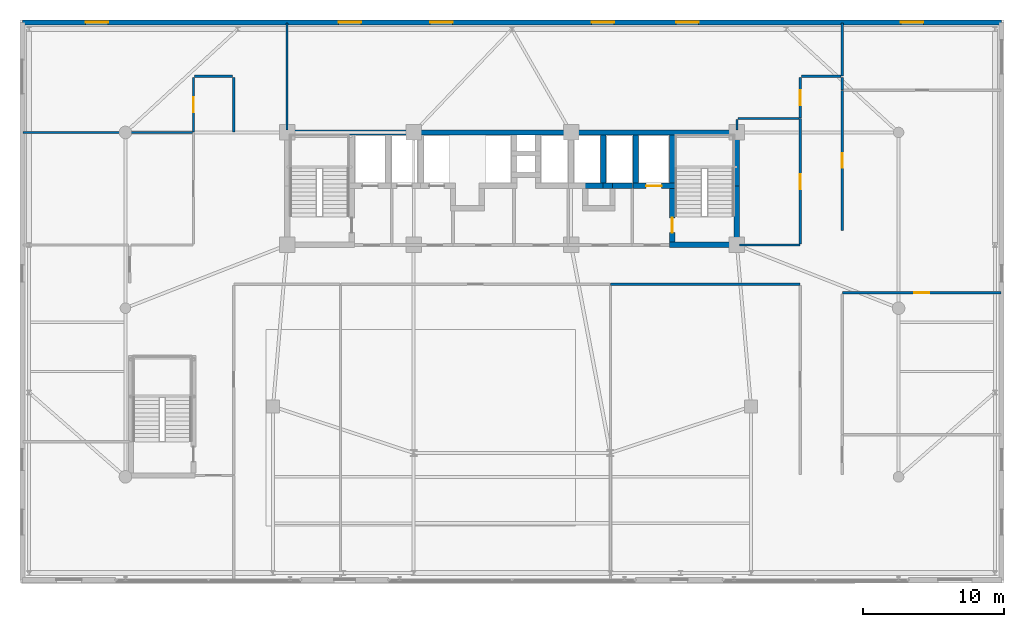
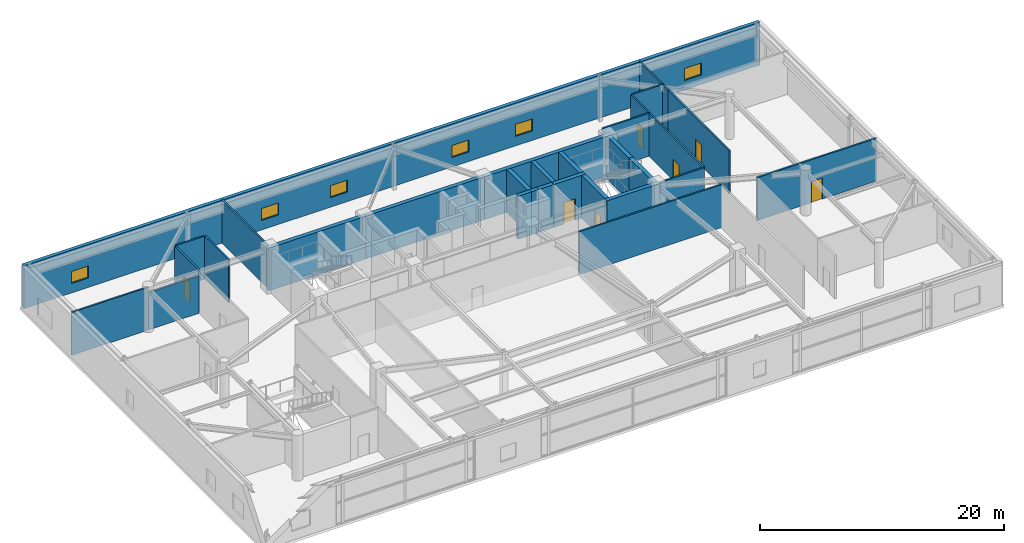
# One storey, part 22 of 26: 32 walls, 7 doors, 6 windows, 13 openings.
"""IFC4 building model written with IfcOpenShell, lengths in metres."""

from ifc_helpers import new_model, si_unit, direction, frame, frame_2d, origin, place, context, subcontext, project, spatial, rectangle, extrude, source, transform, mapped, material, layer, layer_set, type_object, element, fill, save


model = new_model("IFC4")

# Units and contexts
model_context = context("Model", 3, precision=1e-05, world=origin(), true_north=direction((0.0, 1.0)))
body_context = subcontext(model_context, "Body", "Model", "MODEL_VIEW")
ifc_project = project(units=[si_unit("LENGTHUNIT", "METRE"), si_unit("AREAUNIT", "SQUARE_METRE"), si_unit("VOLUMEUNIT", "CUBIC_METRE"), si_unit("PLANEANGLEUNIT", "RADIAN"), si_unit("MASSUNIT", "GRAM", prefix="KILO")], contexts=[model_context])

# Site, building, storey
site_placement = place(None, origin())
site = spatial("IfcSite", under=ifc_project, at=site_placement, CompositionType="ELEMENT")
building_placement = place(site_placement, origin())
building = spatial("IfcBuilding", under=site, at=building_placement, Name="Taldren Reach Tower", CompositionType="ELEMENT")
storey_placement = place(building_placement, frame((0.0, 0.0, 8.39990234375)))
storey = spatial("IfcBuildingStorey", under=building, at=storey_placement, Name="L02", CompositionType="ELEMENT", Elevation=8.39990234375)

# Wall, openings, windows
ifc_material_1 = material(Name="Pale Champagne Anodised Aluminium Cladding", Category="aluminium")
ifc_layer_1 = layer(ifc_material_1, 0.04, Name="Pale Champagne Anodised Aluminium Cladding", Category="aluminium")
ifc_material_2 = material(Name="Mineral Wool Thermal Insulation", Category="insulation")
ifc_layer_2 = layer(ifc_material_2, 0.08, Name="Mineral Wool Thermal Insulation", Category="insulation")
ifc_material_3 = material(Name="Concrete S50 (50 MPa)", Category="concrete")
ifc_layer_3 = layer(ifc_material_3, 0.22, Name="Concrete S50 (50 MPa)", Category="concrete")
ifc_layer_set_1 = layer_set([ifc_layer_1, ifc_layer_2, ifc_layer_3], Name="Pale Champagne Aluminium Cladding and Precast Concrete 50 MPa (S50)")
wall_type_1 = type_object("IfcWallType", Name="EW-POD-340", PredefinedType="SOLIDWALL", material=ifc_layer_set_1)
shared_shape_1 = source(origin(), body_context, "Body", "SweptSolid", [
    extrude(rectangle(XDim=69.66015625, YDim=0.340087890625, at=frame_2d((34.830078125, 0.0))), origin(), (0.0, 0.0, 1.0), 4.2900390625),
])
wall_1_placement = place(storey_placement, frame((0.169921875, 39.830078125, 0.0), z_axis=(0.0, 0.0, 1.0), x_axis=(1.0, 0.0, 0.0)))
wall_1 = element("IfcWall", 1, at=wall_1_placement, inside=storey, type_object=wall_type_1, Name="Podium facade wall L02-N", PredefinedType="SOLIDWALL", context=body_context, shape_type="MappedRepresentation", body=[
    mapped(shared_shape_1, transform((0.0, 0.0, 0.0), scale=1.0)),
])
shared_shape_2 = source(origin(), body_context, "Body", "SweptSolid", [
    extrude(rectangle(XDim=1.60009765625, YDim=1.199951171875, at=frame_2d((0.800048828125, 0.60009765625))), frame((0.0, 0.18017578125, 0.0), z_axis=(0.0, -1.0, 0.0), x_axis=(1.0, 0.0, 0.0)), (0.0, 0.0, 1.0), 0.360107421875),
])
opening_1_placement = place(wall_1_placement, frame((4.5, 0.0, 0.949951171875)))
opening_1 = element("IfcOpeningElement", 2, at=opening_1_placement, cuts=wall_1, Name="Opening W-1612", PredefinedType="OPENING", context=body_context, shape_type="MappedRepresentation", body=[
    mapped(shared_shape_2, transform((0.0, 0.0, 0.0), scale=1.0)),
])
opening_2_placement = place(wall_1_placement, frame((22.5, 0.0, 0.949951171875)))
opening_2 = element("IfcOpeningElement", 3, at=opening_2_placement, cuts=wall_1, Name="Opening W-1612", PredefinedType="OPENING", context=body_context, shape_type="MappedRepresentation", body=[
    mapped(shared_shape_2, transform((0.0, 0.0, 0.0), scale=1.0)),
])
opening_3_placement = place(wall_1_placement, frame((29.0, 0.0, 0.949951171875)))
opening_3 = element("IfcOpeningElement", 4, at=opening_3_placement, cuts=wall_1, Name="Opening W-1612", PredefinedType="OPENING", context=body_context, shape_type="MappedRepresentation", body=[
    mapped(shared_shape_2, transform((0.0, 0.0, 0.0), scale=1.0)),
])
opening_4_placement = place(wall_1_placement, frame((40.5, 0.0, 0.949951171875)))
opening_4 = element("IfcOpeningElement", 5, at=opening_4_placement, cuts=wall_1, Name="Opening W-1612", PredefinedType="OPENING", context=body_context, shape_type="MappedRepresentation", body=[
    mapped(shared_shape_2, transform((0.0, 0.0, 0.0), scale=1.0)),
])
opening_5_placement = place(wall_1_placement, frame((46.5, 0.0, 0.949951171875)))
opening_5 = element("IfcOpeningElement", 6, at=opening_5_placement, cuts=wall_1, Name="Opening W-1612", PredefinedType="OPENING", context=body_context, shape_type="MappedRepresentation", body=[
    mapped(shared_shape_2, transform((0.0, 0.0, 0.0), scale=1.0)),
])
opening_6_placement = place(wall_1_placement, frame((62.5, 0.0, 0.949951171875)))
opening_6 = element("IfcOpeningElement", 7, at=opening_6_placement, cuts=wall_1, Name="Opening W-1612", PredefinedType="OPENING", context=body_context, shape_type="MappedRepresentation", body=[
    mapped(shared_shape_2, transform((0.0, 0.0, 0.0), scale=1.0)),
])
ifc_material_4 = material(Name="Thermally Broken Aluminium and Low-E IGU", Category="aluminium")
window_type = type_object("IfcWindowType", Name="WN-CLN-1600", PartitioningType="SINGLE_PANEL", PredefinedType="WINDOW", material=ifc_material_4)
shared_shape_3 = source(origin(), body_context, "Body", "SweptSolid", [
    extrude(rectangle(XDim=1.60009765625, YDim=1.199951171875, at=frame_2d((0.800048828125, 0.60009765625))), frame((0.0, 0.030029296875, 0.0), z_axis=(0.0, -1.0, 0.0), x_axis=(1.0, 0.0, 0.0)), (0.0, 0.0, 1.0), 0.06005859375),
])
window_1_placement = place(opening_1_placement, origin())
window_1 = element("IfcWindow", 8, at=window_1_placement, inside=storey, type_object=window_type, Name="Clinical window L02-N1", OverallHeight=1.199951171875, OverallWidth=1.60009765625, PartitioningType="SINGLE_PANEL", PredefinedType="WINDOW", context=body_context, shape_type="MappedRepresentation", body=[
    mapped(shared_shape_3, transform((0.0, 0.0, 0.0), scale=1.0)),
])
fill(opening_1, window_1)
window_2_placement = place(opening_2_placement, origin())
window_2 = element("IfcWindow", 9, at=window_2_placement, inside=storey, type_object=window_type, Name="Clinical window L02-N2", OverallHeight=1.199951171875, OverallWidth=1.60009765625, PartitioningType="SINGLE_PANEL", PredefinedType="WINDOW", context=body_context, shape_type="MappedRepresentation", body=[
    mapped(shared_shape_3, transform((0.0, 0.0, 0.0), scale=1.0)),
])
fill(opening_2, window_2)
window_3_placement = place(opening_3_placement, origin())
window_3 = element("IfcWindow", 10, at=window_3_placement, inside=storey, type_object=window_type, Name="Clinical window L02-N3", OverallHeight=1.199951171875, OverallWidth=1.60009765625, PartitioningType="SINGLE_PANEL", PredefinedType="WINDOW", context=body_context, shape_type="MappedRepresentation", body=[
    mapped(shared_shape_3, transform((0.0, 0.0, 0.0), scale=1.0)),
])
fill(opening_3, window_3)
window_4_placement = place(opening_4_placement, origin())
window_4 = element("IfcWindow", 11, at=window_4_placement, inside=storey, type_object=window_type, Name="Clinical window L02-N4", OverallHeight=1.199951171875, OverallWidth=1.60009765625, PartitioningType="SINGLE_PANEL", PredefinedType="WINDOW", context=body_context, shape_type="MappedRepresentation", body=[
    mapped(shared_shape_3, transform((0.0, 0.0, 0.0), scale=1.0)),
])
fill(opening_4, window_4)
window_5_placement = place(opening_5_placement, origin())
window_5 = element("IfcWindow", 12, at=window_5_placement, inside=storey, type_object=window_type, Name="Clinical window L02-N5", OverallHeight=1.199951171875, OverallWidth=1.60009765625, PartitioningType="SINGLE_PANEL", PredefinedType="WINDOW", context=body_context, shape_type="MappedRepresentation", body=[
    mapped(shared_shape_3, transform((0.0, 0.0, 0.0), scale=1.0)),
])
fill(opening_5, window_5)
window_6_placement = place(opening_6_placement, origin())
window_6 = element("IfcWindow", 13, at=window_6_placement, inside=storey, type_object=window_type, Name="Clinical window L02-N6", OverallHeight=1.199951171875, OverallWidth=1.60009765625, PartitioningType="SINGLE_PANEL", PredefinedType="WINDOW", context=body_context, shape_type="MappedRepresentation", body=[
    mapped(shared_shape_3, transform((0.0, 0.0, 0.0), scale=1.0)),
])
fill(opening_6, window_6)

# Walls
ifc_material_5 = material(Name="Concrete S80 (80 MPa)", Category="concrete")
ifc_layer_4 = layer(ifc_material_5, 0.3798828125)
ifc_layer_set_2 = layer_set([ifc_layer_4], Name="Concrete S80 (80 MPa)")
wall_type_2 = type_object("IfcWallType", Name="IW-CORE-380", PredefinedType="SHEAR", material=ifc_layer_set_2)
shared_shape_4 = source(origin(), body_context, "Body", "SweptSolid", [
    extrude(rectangle(XDim=9.18994140625, YDim=0.3798828125, at=frame_2d((4.594970703125, 0.0))), origin(), (0.0, 0.0, 1.0), 4.2900390625),
])
wall_2_placement = place(storey_placement, frame((18.81005859375, 32.0, 0.0), z_axis=(0.0, 0.0, 1.0), x_axis=(1.0, 0.0, 0.0)))
element("IfcWall", 14, at=wall_2_placement, inside=storey, type_object=wall_type_2, Name="Rear Core Shear Wall W-CORE-L02-NORTH1", PredefinedType="SHEAR", context=body_context, shape_type="MappedRepresentation", body=[
    mapped(shared_shape_4, transform((0.0, 0.0, 0.0), scale=1.0)),
])
shared_shape_5 = source(origin(), body_context, "Body", "SweptSolid", [
    extrude(rectangle(XDim=11.199951171875, YDim=0.3798828125, at=frame_2d((5.60009765625, 0.0))), origin(), (0.0, 0.0, 1.0), 4.2900390625),
])
wall_3_placement = place(storey_placement, frame((28.0, 32.0, 0.0), z_axis=(0.0, 0.0, 1.0), x_axis=(1.0, 0.0, 0.0)))
element("IfcWall", 15, at=wall_3_placement, inside=storey, type_object=wall_type_2, Name="Rear Core Shear Wall W-CORE-L02-NORTH2", PredefinedType="SHEAR", context=body_context, shape_type="MappedRepresentation", body=[
    mapped(shared_shape_5, transform((0.0, 0.0, 0.0), scale=1.0)),
])
shared_shape_6 = source(origin(), body_context, "Body", "SweptSolid", [
    extrude(rectangle(XDim=11.989990234375, YDim=0.3798828125, at=frame_2d((5.9951171875, 0.0))), origin(), (0.0, 0.0, 1.0), 4.2900390625),
])
wall_4_placement = place(storey_placement, frame((39.199951171875, 32.0, 0.0), z_axis=(0.0, 0.0, 1.0), x_axis=(1.0, 0.0, 0.0)))
element("IfcWall", 16, at=wall_4_placement, inside=storey, type_object=wall_type_2, Name="Rear Core Shear Wall W-CORE-L02-NORTH3", PredefinedType="SHEAR", context=body_context, shape_type="MappedRepresentation", body=[
    mapped(shared_shape_6, transform((0.0, 0.0, 0.0), scale=1.0)),
])
shared_shape_7 = source(origin(), body_context, "Body", "SweptSolid", [
    extrude(rectangle(XDim=4.010009765625, YDim=0.3798828125, at=frame_2d((2.0048828125, 0.0))), origin(), (0.0, 0.0, 1.0), 4.2900390625),
])
wall_5_placement = place(storey_placement, frame((51.0, 24.18994140625, 0.0), z_axis=(0.0, 0.0, 1.0), x_axis=(0.0, 1.0, 0.0)))
element("IfcWall", 17, at=wall_5_placement, inside=storey, type_object=wall_type_2, Name="Rear Core Shear Wall W-CORE-L02-EAST1", PredefinedType="SHEAR", context=body_context, shape_type="MappedRepresentation", body=[
    mapped(shared_shape_7, transform((0.0, 0.0, 0.0), scale=1.0)),
])
shared_shape_8 = source(origin(), body_context, "Body", "SweptSolid", [
    extrude(rectangle(XDim=3.610107421875, YDim=0.3798828125, at=frame_2d((1.80517578125, 0.0))), origin(), (0.0, 0.0, 1.0), 4.2900390625),
])
wall_6_placement = place(storey_placement, frame((51.0, 28.199951171875, 0.0), z_axis=(0.0, 0.0, 1.0), x_axis=(0.0, 1.0, 0.0)))
element("IfcWall", 18, at=wall_6_placement, inside=storey, type_object=wall_type_2, Name="Rear Core Shear Wall W-CORE-L02-EAST2", PredefinedType="SHEAR", context=body_context, shape_type="MappedRepresentation", body=[
    mapped(shared_shape_8, transform((0.0, 0.0, 0.0), scale=1.0)),
])
shared_shape_9 = source(origin(), body_context, "Body", "SweptSolid", [
    extrude(rectangle(XDim=3.420166015625, YDim=0.3798828125, at=frame_2d((1.7099609375, 0.0))), origin(), (0.0, 0.0, 1.0), 4.2900390625),
])
for number, where, z_axis, x_axis, name in (
    (19, (46.39990234375, 31.81005859375, 0.0), (0.0, 0.0, 1.0), (0.0, -1.0, 0.0), "Rear Core Shear Wall W-INT-L02-008"),
    (20, (43.800048828125, 31.81005859375, 0.0), (0.0, 0.0, 1.0), (0.0, -1.0, 0.0), "Rear Core Shear Wall W-INT-L02-012"),
    (21, (41.5, 28.389892578125, 0.0), (0.0, 0.0, 1.0), (0.0, 1.0, 0.0), "Rear Core Shear Wall W-INT-L02-039"),
):
    element("IfcWall", number, at=place(storey_placement, frame(where, z_axis=z_axis, x_axis=x_axis)), inside=storey, type_object=wall_type_2, Name=name, PredefinedType="SHEAR", context=body_context, shape_type="MappedRepresentation", body=[
        mapped(shared_shape_9, transform((0.0, 0.0, 0.0), scale=1.0)),
    ])

# Wall, opening, door
shared_shape_10 = source(origin(), body_context, "Body", "SweptSolid", [
    extrude(rectangle(XDim=3.820068359375, YDim=0.3798828125, at=frame_2d((1.91015625, 0.0))), origin(), (0.0, 0.0, 1.0), 4.2900390625),
])
wall_7_placement = place(storey_placement, frame((46.39990234375, 28.010009765625, 0.0), z_axis=(0.0, 0.0, 1.0), x_axis=(0.0, -1.0, 0.0)))
wall_7 = element("IfcWall", 22, at=wall_7_placement, inside=storey, type_object=wall_type_2, Name="Rear Core Shear Wall W-INT-L02-009", PredefinedType="SHEAR", context=body_context, shape_type="MappedRepresentation", body=[
    mapped(shared_shape_10, transform((0.0, 0.0, 0.0), scale=1.0)),
])
shared_shape_11 = source(origin(), body_context, "Body", "SweptSolid", [
    extrude(rectangle(XDim=1.050048828125, YDim=2.10009765625, at=frame_2d((0.52490234375, 1.050048828125))), frame((0.0, 0.199951171875, 0.0), z_axis=(0.0, -1.0, 0.0), x_axis=(1.0, 0.0, 0.0)), (0.0, 0.0, 1.0), 0.39990234375),
])
opening_7_placement = place(wall_7_placement, frame((2.0849609375, 0.0, 0.0)))
opening_7 = element("IfcOpeningElement", 23, at=opening_7_placement, cuts=wall_7, Name="Opening DF-105", PredefinedType="OPENING", context=body_context, shape_type="MappedRepresentation", body=[
    mapped(shared_shape_11, transform((0.0, 0.0, 0.0), scale=1.0)),
])
ifc_material_6 = material(Name="Fire-Rated Care and Stair Exit Door")
door_type_1 = type_object("IfcDoorType", Name="ID-FIRE-105", OperationType="NOTDEFINED", PredefinedType="DOOR", material=ifc_material_6)
shared_shape_12 = source(origin(), body_context, "Body", "SweptSolid", [
    extrude(rectangle(XDim=1.050048828125, YDim=2.10009765625, at=frame_2d((0.52490234375, 1.050048828125))), frame((0.0, 0.02490234375, 0.0), z_axis=(0.0, -1.0, 0.0), x_axis=(1.0, 0.0, 0.0)), (0.0, 0.0, 1.0), 0.050048828125),
])
door_1_placement = place(opening_7_placement, origin())
door_1 = element("IfcDoor", 24, at=door_1_placement, inside=storey, type_object=door_type_1, Name="Fire Exit Stair Door DR-L02-003", OperationType="SINGLE_SWING_RIGHT", OverallHeight=2.10009765625, OverallWidth=1.050048828125, PredefinedType="DOOR", context=body_context, shape_type="MappedRepresentation", body=[
    mapped(shared_shape_12, transform((0.0, 0.0, 0.0), scale=1.0)),
])
fill(opening_7, door_1)

# Wall
shared_shape_13 = source(origin(), body_context, "Body", "SweptSolid", [
    extrude(rectangle(XDim=4.97998046875, YDim=0.3798828125, at=frame_2d((2.489990234375, 0.0))), origin(), (0.0, 0.0, 1.0), 4.2900390625),
])
wall_8_placement = place(storey_placement, frame((46.2099609375, 24.0, 0.0), z_axis=(0.0, 0.0, 1.0), x_axis=(1.0, 0.0, 0.0)))
element("IfcWall", 25, at=wall_8_placement, inside=storey, type_object=wall_type_2, Name="Rear Core Shear Wall W-INT-L02-010", PredefinedType="SHEAR", context=body_context, shape_type="MappedRepresentation", body=[
    mapped(shared_shape_13, transform((0.0, 0.0, 0.0), scale=1.0)),
])

# Wall, opening, door
shared_shape_14 = source(origin(), body_context, "Body", "SweptSolid", [
    extrude(rectangle(XDim=2.97998046875, YDim=0.3798828125, at=frame_2d((1.489990234375, 0.0))), origin(), (0.0, 0.0, 1.0), 4.2900390625),
])
wall_9_placement = place(storey_placement, frame((43.610107421875, 28.199951171875, 0.0), z_axis=(0.0, 0.0, 1.0), x_axis=(1.0, 0.0, 0.0)))
wall_9 = element("IfcWall", 26, at=wall_9_placement, inside=storey, type_object=wall_type_2, Name="Rear Core Shear Wall W-INT-L02-011", PredefinedType="SHEAR", context=body_context, shape_type="MappedRepresentation", body=[
    mapped(shared_shape_14, transform((0.0, 0.0, 0.0), scale=1.0)),
])
shared_shape_15 = source(origin(), body_context, "Body", "SweptSolid", [
    extrude(rectangle(XDim=1.10009765625, YDim=2.14990234375, at=frame_2d((0.550048828125, 1.074951171875))), frame((0.0, 0.199951171875, 0.0), z_axis=(0.0, -1.0, 0.0), x_axis=(1.0, 0.0, 0.0)), (0.0, 0.0, 1.0), 0.39990234375),
])
opening_8_placement = place(wall_9_placement, frame((0.93994140625, 0.0, 0.0)))
opening_8 = element("IfcOpeningElement", 27, at=opening_8_placement, cuts=wall_9, Name="Opening LD-FL2", PredefinedType="OPENING", context=body_context, shape_type="MappedRepresentation", body=[
    mapped(shared_shape_15, transform((0.0, 0.0, 0.0), scale=1.0)),
])
ifc_material_7 = material(Name="Stainless Steel Gr 316 Emergency Lift Landing Door", Category="steel")
door_type_2 = type_object("IfcDoorType", Name="LD-EMG-110", OperationType="SLIDING_TO_LEFT", PredefinedType="DOOR", material=ifc_material_7)
shared_shape_16 = source(origin(), body_context, "Body", "SweptSolid", [
    extrude(rectangle(XDim=1.10009765625, YDim=2.14990234375, at=frame_2d((0.550048828125, 1.074951171875))), frame((0.0, 0.02490234375, 0.0), z_axis=(0.0, -1.0, 0.0), x_axis=(1.0, 0.0, 0.0)), (0.0, 0.0, 1.0), 0.050048828125),
])
door_2_placement = place(opening_8_placement, origin())
door_2 = element("IfcDoor", 28, at=door_2_placement, inside=storey, type_object=door_type_2, Name="Lift Landing Door LD-FL2-L02", OperationType="SLIDING_TO_LEFT", OverallHeight=2.14990234375, OverallWidth=1.10009765625, PredefinedType="DOOR", context=body_context, shape_type="MappedRepresentation", body=[
    mapped(shared_shape_16, transform((0.0, 0.0, 0.0), scale=1.0)),
])
fill(opening_8, door_2)

# Walls
ifc_material_8 = material(Name="Fire-Rated Acoustic Plasterboard Stud Wall", Category="gypsum")
ifc_layer_5 = layer(ifc_material_8, 0.159912109375)
ifc_layer_set_3 = layer_set([ifc_layer_5], Name="Fire-Rated Acoustic Plasterboard Stud Wall")
wall_type_3 = type_object("IfcWallType", Name="IW-FIRE-160", PredefinedType="PARTITIONING", material=ifc_layer_set_3)
shared_shape_17 = source(origin(), body_context, "Body", "SweptSolid", [
    extrude(rectangle(XDim=13.45947265625, YDim=0.159912109375, at=frame_2d((6.729736328125, 0.0))), origin(), (0.0, 0.0, 1.0), 4.2900390625),
])
wall_10_placement = place(storey_placement, frame((55.479736328125, 21.199951171875, 0.0), z_axis=(0.0, 0.0, 1.0), x_axis=(-1.0, 0.0, 0.0)))
element("IfcWall", 29, at=wall_10_placement, inside=storey, type_object=wall_type_3, Name="Interior Partition Wall W-INT-L02-055", PredefinedType="PARTITIONING", context=body_context, shape_type="MappedRepresentation", body=[
    mapped(shared_shape_17, transform((0.0, 0.0, 0.0), scale=1.0)),
])
shared_shape_18 = source(origin(), body_context, "Body", "SweptSolid", [
    extrude(rectangle(XDim=2.7001953125, YDim=0.159912109375, at=frame_2d((1.35009765625, 0.0))), origin(), (0.0, 0.0, 1.0), 4.2900390625),
])
wall_11_placement = place(storey_placement, frame((12.419921875, 36.0, 0.0), z_axis=(0.0, 0.0, 1.0), x_axis=(1.0, 0.0, 0.0)))
element("IfcWall", 30, at=wall_11_placement, inside=storey, type_object=wall_type_3, Name="Interior Partition Wall W-INT-L02-062", PredefinedType="PARTITIONING", context=body_context, shape_type="MappedRepresentation", body=[
    mapped(shared_shape_18, transform((0.0, 0.0, 0.0), scale=1.0)),
])

# Wall, opening, door
shared_shape_19 = source(origin(), body_context, "Body", "SweptSolid", [
    extrude(rectangle(XDim=11.249755859375, YDim=0.159912109375, at=frame_2d((5.625, 0.0))), origin(), (0.0, 0.0, 1.0), 4.2900390625),
])
wall_12_placement = place(storey_placement, frame((69.77001953125, 20.60009765625, 0.0), z_axis=(0.0, 0.0, 1.0), x_axis=(-1.0, 0.0, 0.0)))
wall_12 = element("IfcWall", 31, at=wall_12_placement, inside=storey, type_object=wall_type_3, Name="Interior Partition Wall W-INT-L02-064", PredefinedType="PARTITIONING", context=body_context, shape_type="MappedRepresentation", body=[
    mapped(shared_shape_19, transform((0.0, 0.0, 0.0), scale=1.0)),
])
shared_shape_20 = source(origin(), body_context, "Body", "SweptSolid", [
    extrude(rectangle(XDim=1.050048828125, YDim=2.10009765625, at=frame_2d((0.52490234375, 1.050048828125))), frame((0.0, 0.08984375, 0.0), z_axis=(0.0, -1.0, 0.0), x_axis=(1.0, 0.0, 0.0)), (0.0, 0.0, 1.0), 0.179931640625),
])
opening_9_placement = place(wall_12_placement, frame((5.099853515625, 0.0, 0.0)))
opening_9 = element("IfcOpeningElement", 32, at=opening_9_placement, cuts=wall_12, Name="Opening DF-105", PredefinedType="OPENING", context=body_context, shape_type="MappedRepresentation", body=[
    mapped(shared_shape_20, transform((0.0, 0.0, 0.0), scale=1.0)),
])
door_3_placement = place(opening_9_placement, origin())
door_3 = element("IfcDoor", 33, at=door_3_placement, inside=storey, type_object=door_type_1, Name="Interior Door DR-L02-018", OperationType="SINGLE_SWING_LEFT", OverallHeight=2.10009765625, OverallWidth=1.050048828125, PredefinedType="DOOR", context=body_context, shape_type="MappedRepresentation", body=[
    mapped(shared_shape_12, transform((0.0, 0.0, 0.0), scale=1.0)),
])
fill(opening_9, door_3)

# Wall
shared_shape_21 = source(origin(), body_context, "Body", "SweptSolid", [
    extrude(rectangle(XDim=4.289794921875, YDim=0.159912109375, at=frame_2d((2.14501953125, 0.0))), origin(), (0.0, 0.0, 1.0), 4.2900390625),
])
wall_13_placement = place(storey_placement, frame((51.18994140625, 24.0, 0.0), z_axis=(0.0, 0.0, 1.0), x_axis=(1.0, 0.0, 0.0)))
element("IfcWall", 34, at=wall_13_placement, inside=storey, type_object=wall_type_3, Name="Interior Partition Wall W-INT-L02-069", PredefinedType="PARTITIONING", context=body_context, shape_type="MappedRepresentation", body=[
    mapped(shared_shape_21, transform((0.0, 0.0, 0.0), scale=1.0)),
])

# Wall, opening, door
shared_shape_22 = source(origin(), body_context, "Body", "SweptSolid", [
    extrude(rectangle(XDim=3.899658203125, YDim=0.159912109375, at=frame_2d((1.94970703125, 0.0))), origin(), (0.0, 0.0, 1.0), 4.2900390625),
])
wall_14_placement = place(storey_placement, frame((12.340087890625, 32.020263671875, 0.0), z_axis=(0.0, 0.0, 1.0), x_axis=(0.0, 1.0, 0.0)))
wall_14 = element("IfcWall", 35, at=wall_14_placement, inside=storey, type_object=wall_type_3, Name="Interior Partition Wall W-INT-L02-060", PredefinedType="PARTITIONING", context=body_context, shape_type="MappedRepresentation", body=[
    mapped(shared_shape_22, transform((0.0, 0.0, 0.0), scale=1.0)),
])
opening_10_placement = place(wall_14_placement, frame((1.4248046875, 0.0, 0.0)))
opening_10 = element("IfcOpeningElement", 36, at=opening_10_placement, cuts=wall_14, Name="Opening DF-105", PredefinedType="OPENING", context=body_context, shape_type="MappedRepresentation", body=[
    mapped(shared_shape_20, transform((0.0, 0.0, 0.0), scale=1.0)),
])
door_4_placement = place(opening_10_placement, origin())
door_4 = element("IfcDoor", 37, at=door_4_placement, inside=storey, type_object=door_type_1, Name="Interior Door DR-L02-016", OperationType="SINGLE_SWING_LEFT", OverallHeight=2.10009765625, OverallWidth=1.050048828125, PredefinedType="DOOR", context=body_context, shape_type="MappedRepresentation", body=[
    mapped(shared_shape_12, transform((0.0, 0.0, 0.0), scale=1.0)),
])
fill(opening_10, door_4)

# Walls
wall_15_placement = place(storey_placement, frame((15.199951171875, 35.919921875, 0.0), z_axis=(0.0, 0.0, 1.0), x_axis=(0.0, -1.0, 0.0)))
element("IfcWall", 38, at=wall_15_placement, inside=storey, type_object=wall_type_3, Name="Interior Partition Wall W-INT-L02-061", PredefinedType="PARTITIONING", context=body_context, shape_type="MappedRepresentation", body=[
    mapped(shared_shape_22, transform((0.0, 0.0, 0.0), scale=1.0)),
])
shared_shape_23 = source(origin(), body_context, "Body", "SweptSolid", [
    extrude(rectangle(XDim=2.83984375, YDim=0.159912109375, at=frame_2d((1.419921875, 0.0))), origin(), (0.0, 0.0, 1.0), 4.2900390625),
])
wall_16_placement = place(storey_placement, frame((55.580078125, 36.0, 0.0), z_axis=(0.0, 0.0, 1.0), x_axis=(1.0, 0.0, 0.0)))
element("IfcWall", 39, at=wall_16_placement, inside=storey, type_object=wall_type_3, Name="Interior Partition Wall W-INT-L02-071", PredefinedType="PARTITIONING", context=body_context, shape_type="MappedRepresentation", body=[
    mapped(shared_shape_23, transform((0.0, 0.0, 0.0), scale=1.0)),
])
shared_shape_24 = source(origin(), body_context, "Body", "SweptSolid", [
    extrude(rectangle(XDim=7.580078125, YDim=0.159912109375, at=frame_2d((3.7900390625, 0.0))), origin(), (0.0, 0.0, 1.0), 4.2900390625),
])
wall_17_placement = place(storey_placement, frame((19.0, 39.77001953125, 0.0), z_axis=(0.0, 0.0, 1.0), x_axis=(0.0, -1.0, 0.0)))
element("IfcWall", 40, at=wall_17_placement, inside=storey, type_object=wall_type_3, Name="Interior Partition Wall W-INT-L02-078", PredefinedType="PARTITIONING", context=body_context, shape_type="MappedRepresentation", body=[
    mapped(shared_shape_24, transform((0.0, 0.0, 0.0), scale=1.0)),
])
shared_shape_25 = source(origin(), body_context, "Body", "SweptSolid", [
    extrude(rectangle(XDim=1.320068359375, YDim=0.3798828125, at=frame_2d((0.66015625, 0.0))), origin(), (0.0, 0.0, 1.0), 4.2900390625),
])
wall_18_placement = place(storey_placement, frame((41.52001953125, 28.199951171875, 0.0), z_axis=(0.0, 0.0, 1.0), x_axis=(-1.0, 0.0, 0.0)))
element("IfcWall", 41, at=wall_18_placement, inside=storey, type_object=wall_type_2, Name="Rear Core Shear Wall W-INT-L02-024", PredefinedType="SHEAR", context=body_context, shape_type="MappedRepresentation", body=[
    mapped(shared_shape_25, transform((0.0, 0.0, 0.0), scale=1.0)),
])
shared_shape_26 = source(origin(), body_context, "Body", "SweptSolid", [
    extrude(rectangle(XDim=0.669921875, YDim=0.3798828125, at=frame_2d((0.3349609375, 0.0))), origin(), (0.0, 0.0, 1.0), 4.2900390625),
])
wall_19_placement = place(storey_placement, frame((42.14990234375, 28.199951171875, 0.0), z_axis=(0.0, 0.0, 1.0), x_axis=(-1.0, 0.0, 0.0)))
element("IfcWall", 42, at=wall_19_placement, inside=storey, type_object=wall_type_2, Name="Rear Core Shear Wall W-INT-L02-025", PredefinedType="SHEAR", context=body_context, shape_type="MappedRepresentation", body=[
    mapped(shared_shape_26, transform((0.0, 0.0, 0.0), scale=1.0)),
])
shared_shape_27 = source(origin(), body_context, "Body", "SweptSolid", [
    extrude(rectangle(XDim=1.440185546875, YDim=0.3798828125, at=frame_2d((0.72021484375, 0.0))), origin(), (0.0, 0.0, 1.0), 4.2900390625),
])
wall_20_placement = place(storey_placement, frame((42.1298828125, 28.199951171875, 0.0), z_axis=(0.0, 0.0, 1.0), x_axis=(1.0, 0.0, 0.0)))
element("IfcWall", 43, at=wall_20_placement, inside=storey, type_object=wall_type_2, Name="Rear Core Shear Wall W-INT-L02-041", PredefinedType="SHEAR", context=body_context, shape_type="MappedRepresentation", body=[
    mapped(shared_shape_27, transform((0.0, 0.0, 0.0), scale=1.0)),
])

# Wall, opening, door
shared_shape_28 = source(origin(), body_context, "Body", "SweptSolid", [
    extrude(rectangle(XDim=9.95947265625, YDim=0.159912109375, at=frame_2d((4.979736328125, 0.0))), origin(), (0.0, 0.0, 1.0), 4.2900390625),
])
wall_21_placement = place(storey_placement, frame((58.5, 34.979736328125, 0.0), z_axis=(0.0, 0.0, 1.0), x_axis=(0.0, -1.0, 0.0)))
wall_21 = element("IfcWall", 44, at=wall_21_placement, inside=storey, type_object=wall_type_3, Name="Interior Partition Wall W-INT-L02-066", PredefinedType="PARTITIONING", context=body_context, shape_type="MappedRepresentation", body=[
    mapped(shared_shape_28, transform((0.0, 0.0, 0.0), scale=1.0)),
])
opening_11_placement = place(wall_21_placement, frame((4.454833984375, 0.0, 0.0)))
opening_11 = element("IfcOpeningElement", 45, at=opening_11_placement, cuts=wall_21, Name="Opening DF-105", PredefinedType="OPENING", context=body_context, shape_type="MappedRepresentation", body=[
    mapped(shared_shape_20, transform((0.0, 0.0, 0.0), scale=1.0)),
])
door_5_placement = place(opening_11_placement, origin())
door_5 = element("IfcDoor", 46, at=door_5_placement, inside=storey, type_object=door_type_1, Name="Interior Door DR-L02-019", OperationType="SINGLE_SWING_RIGHT", OverallHeight=2.10009765625, OverallWidth=1.050048828125, PredefinedType="DOOR", context=body_context, shape_type="MappedRepresentation", body=[
    mapped(shared_shape_12, transform((0.0, 0.0, 0.0), scale=1.0)),
])
fill(opening_11, door_5)

# Wall
shared_shape_29 = source(origin(), body_context, "Body", "SweptSolid", [
    extrude(rectangle(XDim=0.899658203125, YDim=0.159912109375, at=frame_2d((0.44970703125, 0.0))), origin(), (0.0, 0.0, 1.0), 4.2900390625),
])
wall_22_placement = place(storey_placement, frame((58.5, 35.919921875, 0.0), z_axis=(0.0, 0.0, 1.0), x_axis=(0.0, -1.0, 0.0)))
element("IfcWall", 47, at=wall_22_placement, inside=storey, type_object=wall_type_3, Name="Interior Partition Wall W-INT-L02-067", PredefinedType="PARTITIONING", context=body_context, shape_type="MappedRepresentation", body=[
    mapped(shared_shape_29, transform((0.0, 0.0, 0.0), scale=1.0)),
])

# Wall, opening, door
shared_shape_30 = source(origin(), body_context, "Body", "SweptSolid", [
    extrude(rectangle(XDim=8.899658203125, YDim=0.159912109375, at=frame_2d((4.44970703125, 0.0))), origin(), (0.0, 0.0, 1.0), 4.2900390625),
])
wall_23_placement = place(storey_placement, frame((55.5, 24.080078125, 0.0), z_axis=(0.0, 0.0, 1.0), x_axis=(0.0, 1.0, 0.0)))
wall_23 = element("IfcWall", 48, at=wall_23_placement, inside=storey, type_object=wall_type_3, Name="Interior Partition Wall W-INT-L02-068", PredefinedType="PARTITIONING", context=body_context, shape_type="MappedRepresentation", body=[
    mapped(shared_shape_30, transform((0.0, 0.0, 0.0), scale=1.0)),
])
opening_12_placement = place(wall_23_placement, frame((3.89501953125, 0.0, 0.0)))
opening_12 = element("IfcOpeningElement", 49, at=opening_12_placement, cuts=wall_23, Name="Opening DF-105", PredefinedType="OPENING", context=body_context, shape_type="MappedRepresentation", body=[
    mapped(shared_shape_20, transform((0.0, 0.0, 0.0), scale=1.0)),
])
door_6_placement = place(opening_12_placement, origin())
door_6 = element("IfcDoor", 50, at=door_6_placement, inside=storey, type_object=door_type_1, Name="Interior Door DR-L02-020", OperationType="SINGLE_SWING_LEFT", OverallHeight=2.10009765625, OverallWidth=1.050048828125, PredefinedType="DOOR", context=body_context, shape_type="MappedRepresentation", body=[
    mapped(shared_shape_12, transform((0.0, 0.0, 0.0), scale=1.0)),
])
fill(opening_12, door_6)

shared_shape_31 = source(origin(), body_context, "Body", "SweptSolid", [
    extrude(rectangle(XDim=2.899658203125, YDim=0.159912109375, at=frame_2d((1.44970703125, 0.0))), origin(), (0.0, 0.0, 1.0), 4.2900390625),
])
wall_24_placement = place(storey_placement, frame((55.5, 33.020263671875, 0.0), z_axis=(0.0, 0.0, 1.0), x_axis=(0.0, 1.0, 0.0)))
wall_24 = element("IfcWall", 51, at=wall_24_placement, inside=storey, type_object=wall_type_3, Name="Interior Partition Wall W-INT-L02-070", PredefinedType="PARTITIONING", context=body_context, shape_type="MappedRepresentation", body=[
    mapped(shared_shape_31, transform((0.0, 0.0, 0.0), scale=1.0)),
])
opening_13_placement = place(wall_24_placement, frame((0.9248046875, 0.0, 0.0)))
opening_13 = element("IfcOpeningElement", 52, at=opening_13_placement, cuts=wall_24, Name="Opening DF-105", PredefinedType="OPENING", context=body_context, shape_type="MappedRepresentation", body=[
    mapped(shared_shape_20, transform((0.0, 0.0, 0.0), scale=1.0)),
])
door_7_placement = place(opening_13_placement, origin())
door_7 = element("IfcDoor", 53, at=door_7_placement, inside=storey, type_object=door_type_1, Name="Interior Door DR-L02-021", OperationType="SINGLE_SWING_RIGHT", OverallHeight=2.10009765625, OverallWidth=1.050048828125, PredefinedType="DOOR", context=body_context, shape_type="MappedRepresentation", body=[
    mapped(shared_shape_12, transform((0.0, 0.0, 0.0), scale=1.0)),
])
fill(opening_13, door_7)

# Walls
shared_shape_32 = source(origin(), body_context, "Body", "SweptSolid", [
    extrude(rectangle(XDim=7.27001953125, YDim=0.159912109375, at=frame_2d((3.635009765625, 0.0))), origin(), (0.0, 0.0, 1.0), 4.2900390625),
])
wall_25_placement = place(storey_placement, frame((0.22998046875, 32.0, 0.0), z_axis=(0.0, 0.0, 1.0), x_axis=(1.0, 0.0, 0.0)))
element("IfcWall", 54, at=wall_25_placement, inside=storey, type_object=wall_type_3, Name="Interior Partition Wall W-INT-L02-077", PredefinedType="PARTITIONING", context=body_context, shape_type="MappedRepresentation", body=[
    mapped(shared_shape_32, transform((0.0, 0.0, 0.0), scale=1.0)),
])
shared_shape_33 = source(origin(), body_context, "Body", "SweptSolid", [
    extrude(rectangle(XDim=4.760009765625, YDim=0.159912109375, at=frame_2d((2.3798828125, 0.0))), origin(), (0.0, 0.0, 1.0), 3.757080078125),
])
wall_26_placement = place(storey_placement, frame((7.5, 32.0, 0.0), z_axis=(0.0, 0.0, 1.0), x_axis=(1.0, 0.0, 0.0)))
element("IfcWall", 55, at=wall_26_placement, inside=storey, type_object=wall_type_3, Name="Interior Partition Wall W-INT-L02-077 part 2", PredefinedType="PARTITIONING", context=body_context, shape_type="MappedRepresentation", body=[
    mapped(shared_shape_33, transform((0.0, 0.0, 0.0), scale=1.0)),
])
shared_shape_34 = source(origin(), body_context, "Body", "SweptSolid", [
    extrude(rectangle(XDim=3.749755859375, YDim=0.159912109375, at=frame_2d((1.875, 0.0))), origin(), (0.0, 0.0, 1.0), 4.2900390625),
])
wall_27_placement = place(storey_placement, frame((58.5, 36.020263671875, 0.0), z_axis=(0.0, 0.0, 1.0), x_axis=(0.0, 1.0, 0.0)))
element("IfcWall", 56, at=wall_27_placement, inside=storey, type_object=wall_type_3, Name="Interior Partition Wall W-INT-L02-081", PredefinedType="PARTITIONING", context=body_context, shape_type="MappedRepresentation", body=[
    mapped(shared_shape_34, transform((0.0, 0.0, 0.0), scale=1.0)),
])
shared_shape_35 = source(origin(), body_context, "Body", "SweptSolid", [
    extrude(rectangle(XDim=4.33984375, YDim=0.159912109375, at=frame_2d((2.169921875, 0.0))), origin(), (0.0, 0.0, 1.0), 4.2900390625),
])
wall_28_placement = place(storey_placement, frame((51.080078125, 33.0, 0.0), z_axis=(0.0, 0.0, 1.0), x_axis=(1.0, 0.0, 0.0)))
element("IfcWall", 57, at=wall_28_placement, inside=storey, type_object=wall_type_3, Name="Interior Partition Wall W-INT-L02-082", PredefinedType="PARTITIONING", context=body_context, shape_type="MappedRepresentation", body=[
    mapped(shared_shape_35, transform((0.0, 0.0, 0.0), scale=1.0)),
])
shared_shape_36 = source(origin(), body_context, "Body", "SweptSolid", [
    extrude(rectangle(XDim=0.72998046875, YDim=0.159912109375, at=frame_2d((0.364990234375, 0.0))), origin(), (0.0, 0.0, 1.0), 4.2900390625),
])
wall_29_placement = place(storey_placement, frame((51.0, 32.18994140625, 0.0), z_axis=(0.0, 0.0, 1.0), x_axis=(0.0, 1.0, 0.0)))
element("IfcWall", 58, at=wall_29_placement, inside=storey, type_object=wall_type_3, Name="Interior Partition Wall W-INT-L02-083", PredefinedType="PARTITIONING", context=body_context, shape_type="MappedRepresentation", body=[
    mapped(shared_shape_36, transform((0.0, 0.0, 0.0), scale=1.0)),
])

save(model, "model.ifc")
